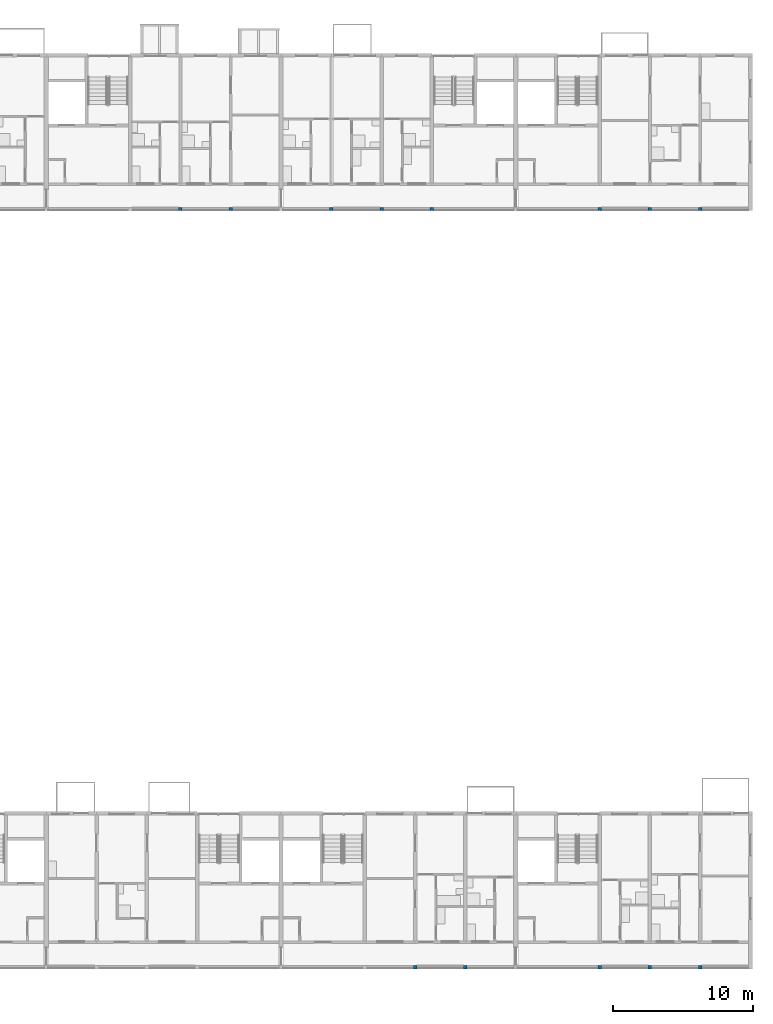
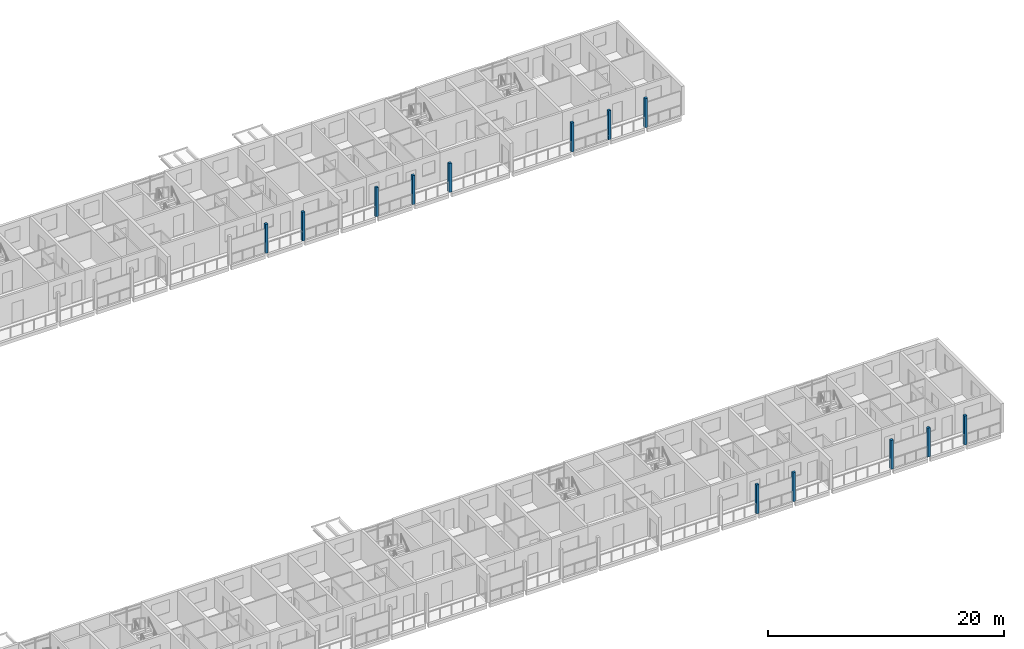
# One storey, part 4 of 100: 13 columns.
"""IFC4 building model written with IfcOpenShell, lengths in metres."""

from ifc_helpers import new_model, si_unit, direction, frame, origin, origin_2d, place, context, subcontext, project, spatial, rectangle, extrude, material, material_profile, profile_set, type_object, element, save


model = new_model("IFC4")

# Units and contexts
model_context = context("Model", 3, precision=1e-05, world=origin(), true_north=direction((0.0, 1.0)))
body_context = subcontext(model_context, "Body", "Model", "MODEL_VIEW")
ifc_project = project(units=[si_unit("LENGTHUNIT", "METRE"), si_unit("AREAUNIT", "SQUARE_METRE"), si_unit("VOLUMEUNIT", "CUBIC_METRE"), si_unit("PLANEANGLEUNIT", "RADIAN"), si_unit("MASSUNIT", "GRAM", prefix="KILO")], contexts=[model_context])

# Site, building, storey
site_placement = place(None, origin())
site = spatial("IfcSite", under=ifc_project, at=site_placement, CompositionType="ELEMENT")
building_placement = place(site_placement, origin())
building = spatial("IfcBuilding", under=site, at=building_placement, Name="Ridgestep Commons", CompositionType="ELEMENT")
storey_placement = place(building_placement, frame((0.0, 0.0, 9.0)))
storey = spatial("IfcBuildingStorey", under=building, at=storey_placement, Name="L03", CompositionType="ELEMENT", Elevation=9.0)

# Columns
ifc_material = material(Name="Precast concrete C40/50", Category="concrete")
ifc_material_profile = material_profile(ifc_material, rectangle(XDim=0.25, YDim=0.25, at=origin_2d()), Name="PC 250x250")
ifc_profile_set = profile_set([ifc_material_profile], Name="Precast concrete C40/50")
column_type = type_object("IfcColumnType", Name="Loggia column 250 x 250", PredefinedType="COLUMN", material=ifc_profile_set)
for number, where, z_axis, x_axis, name in (
    (1, (206.800048828125, 66.125, 0.0), (0.0, 0.0, 1.0), (1.0, 0.0, 0.0), "Loggia column C L03"),
    (2, (210.39990234375, 66.125, 0.0), (0.0, 0.0, 1.0), (1.0, 0.0, 0.0), "Loggia column C L03"),
    (3, (217.60009765625, 66.125, 0.0), (0.0, 0.0, 1.0), (1.0, 0.0, 0.0), "Loggia column C L03"),
    (4, (221.199951171875, 66.125, 0.0), (0.0, 0.0, 1.0), (1.0, 0.0, 0.0), "Loggia column C L03"),
    (5, (224.800048828125, 66.125, 0.0), (0.0, 0.0, 1.0), (1.0, 0.0, 0.0), "Loggia column C L03"),
    (6, (236.800048828125, 66.125, 0.0), (0.0, 0.0, 1.0), (1.0, 0.0, 0.0), "Loggia column C L03"),
    (7, (240.39990234375, 66.125, 0.0), (0.0, 0.0, 1.0), (1.0, 0.0, 0.0), "Loggia column C L03"),
    (8, (244.0, 66.125, 0.0), (0.0, 0.0, 1.0), (1.0, 0.0, 0.0), "Loggia column C L03"),
    (9, (223.60009765625, 11.875, 0.0), (0.0, 0.0, 1.0), (1.0, 0.0, 0.0), "Loggia column D L03"),
    (10, (227.199951171875, 11.875, 0.0), (0.0, 0.0, 1.0), (1.0, 0.0, 0.0), "Loggia column D L03"),
    (11, (236.800048828125, 11.875, 0.0), (0.0, 0.0, 1.0), (1.0, 0.0, 0.0), "Loggia column D L03"),
    (12, (240.39990234375, 11.875, 0.0), (0.0, 0.0, 1.0), (1.0, 0.0, 0.0), "Loggia column D L03"),
    (13, (244.0, 11.875, 0.0), (0.0, 0.0, 1.0), (1.0, 0.0, 0.0), "Loggia column D L03"),
):
    element("IfcColumn", number, at=place(storey_placement, frame(where, z_axis=z_axis, x_axis=x_axis)), inside=storey, type_object=column_type, Name=name, PredefinedType="COLUMN", context=body_context, shape_type="SweptSolid", body=[
        extrude(rectangle(XDim=0.25, YDim=0.25, at=origin_2d()), origin(), (0.0, 0.0, 1.0), 3.0),
    ])

save(model, "model.ifc")
